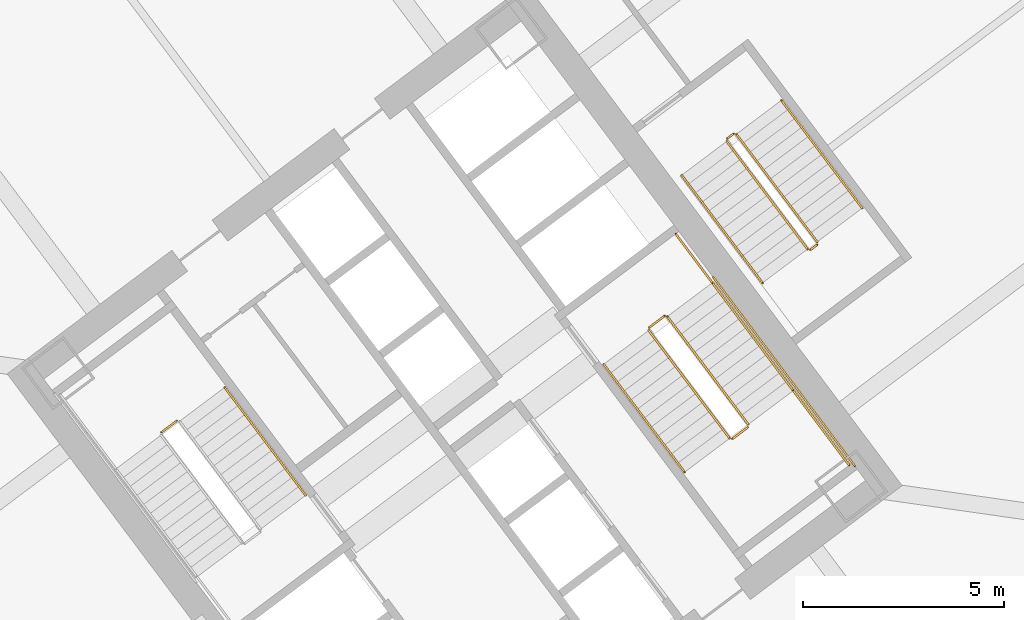
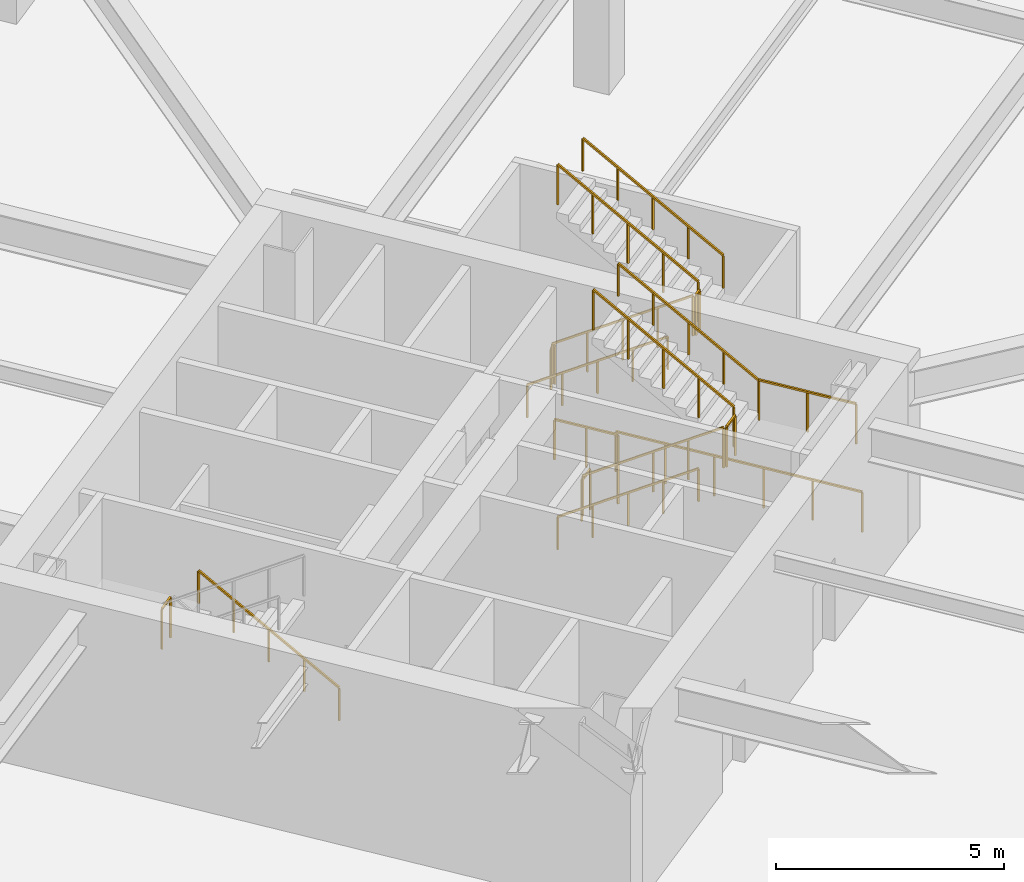
# One storey, part 43 of 44: 17 railings.
"""IFC4 building model written with IfcOpenShell, lengths in metres."""

from ifc_helpers import new_model, si_unit, direction, frame, origin, origin_2d, place, context, subcontext, project, spatial, rectangle, extrude, material, type_object, element, save


model = new_model("IFC4")

# Units and contexts
model_context = context("Model", 3, precision=1e-05, world=origin(), true_north=direction((0.0, 1.0)))
body_context = subcontext(model_context, "Body", "Model", "MODEL_VIEW")
ifc_project = project(units=[si_unit("LENGTHUNIT", "METRE"), si_unit("AREAUNIT", "SQUARE_METRE"), si_unit("VOLUMEUNIT", "CUBIC_METRE"), si_unit("PLANEANGLEUNIT", "RADIAN"), si_unit("MASSUNIT", "GRAM", prefix="KILO")], contexts=[model_context])

# Site, building, storey
site_placement = place(None, origin())
site = spatial("IfcSite", under=ifc_project, at=site_placement, CompositionType="ELEMENT")
building_placement = place(site_placement, origin())
building = spatial("IfcBuilding", under=site, at=building_placement, Name="Tashvorn Skyway Center", CompositionType="ELEMENT")
storey_placement = place(building_placement, frame((0.0, 0.0, 5.39990234375)))
storey = spatial("IfcBuildingStorey", under=building, at=storey_placement, Name="L01", CompositionType="ELEMENT", Elevation=5.39990234375)

# Railings
ifc_material_1 = material(Name="Brushed stainless steel 316", Category="steel")
railing_type_1 = type_object("IfcRailingType", Name="RAIL-HAND-920", PredefinedType="HANDRAIL", material=ifc_material_1)
railing_1_placement = place(storey_placement, frame((110.2880859375, 30.365966796875, 0.184814453125)))
element("IfcRailing", 1, at=railing_1_placement, inside=storey, type_object=railing_type_1, Name="L01 ST-T2-1 stair handrail 1", PredefinedType="HANDRAIL", context=body_context, shape_type="SweptSolid", body=[
    extrude(rectangle(XDim=0.048095703125, YDim=0.048095703125, at=origin_2d()), frame((0.0, 0.0, 0.8759765625), z_axis=(-0.500943092104, 0.667883681771, 0.55044291811), x_axis=(-0.79998256135, -0.600023250829, 0.0)), (0.0, 0.0, 1.0), 4.024658203125),
    extrude(rectangle(XDim=0.0419921875, YDim=0.0419921875, at=origin_2d()), origin(), (0.0, 0.0, 1.0), 0.851806640625),
    extrude(rectangle(XDim=0.0419921875, YDim=0.0419921875, at=origin_2d()), frame((-0.50390625, 0.671875, 0.5537109375)), (0.0, 0.0, 1.0), 0.851806640625),
    extrude(rectangle(XDim=0.0419921875, YDim=0.0419921875, at=origin_2d()), frame((-1.008056640625, 1.343994140625, 1.107666015625)), (0.0, 0.0, 1.0), 0.851806640625),
    extrude(rectangle(XDim=0.0419921875, YDim=0.0419921875, at=origin_2d()), frame((-1.51220703125, 2.01611328125, 1.66162109375)), (0.0, 0.0, 1.0), 0.851806640625),
    extrude(rectangle(XDim=0.0419921875, YDim=0.0419921875, at=origin_2d()), frame((-2.01611328125, 2.68798828125, 2.21533203125)), (0.0, 0.0, 1.0), 0.851806640625),
])
railing_2_placement = place(storey_placement, frame((117.7119140625, 33.634033203125, 0.184814453125)))
element("IfcRailing", 2, at=railing_2_placement, inside=storey, type_object=railing_type_1, Name="L01 ST-T2-2 stair handrail 1", PredefinedType="HANDRAIL", context=body_context, shape_type="SweptSolid", body=[
    extrude(rectangle(XDim=0.048095703125, YDim=0.048095703125, at=origin_2d()), frame((0.0, 0.0, 0.8759765625), z_axis=(0.500943092104, -0.667883681771, 0.55044291811), x_axis=(0.79998256135, 0.600023250829, 0.0)), (0.0, 0.0, 1.0), 4.024658203125),
    extrude(rectangle(XDim=0.0419921875, YDim=0.0419921875, at=origin_2d()), origin(), (0.0, 0.0, 1.0), 0.851806640625),
    extrude(rectangle(XDim=0.0419921875, YDim=0.0419921875, at=origin_2d()), frame((0.50390625, -0.671875, 0.5537109375)), (0.0, 0.0, 1.0), 0.851806640625),
    extrude(rectangle(XDim=0.0419921875, YDim=0.0419921875, at=origin_2d()), frame((1.008056640625, -1.343994140625, 1.107666015625)), (0.0, 0.0, 1.0), 0.851806640625),
    extrude(rectangle(XDim=0.0419921875, YDim=0.0419921875, at=origin_2d()), frame((1.51220703125, -2.01611328125, 1.66162109375)), (0.0, 0.0, 1.0), 0.851806640625),
    extrude(rectangle(XDim=0.0419921875, YDim=0.0419921875, at=origin_2d()), frame((2.01611328125, -2.68798828125, 2.21533203125)), (0.0, 0.0, 1.0), 0.851806640625),
])
railing_3_placement = place(storey_placement, frame((122.431884765625, 32.97412109375, 2.584716796875)))
element("IfcRailing", 3, at=railing_3_placement, inside=storey, type_object=railing_type_1, Name="L01 ST-T2-2 stair handrail 2", PredefinedType="HANDRAIL", context=body_context, shape_type="SweptSolid", body=[
    extrude(rectangle(XDim=0.048095703125, YDim=0.048095703125, at=origin_2d()), frame((0.0, 0.0, 0.8759765625), z_axis=(-0.500897651133, 0.667903977107, 0.550459644711), x_axis=(-0.800017438734, -0.59997674765, 0.0)), (0.0, 0.0, 1.0), 4.0244140625),
    extrude(rectangle(XDim=0.0419921875, YDim=0.0419921875, at=origin_2d()), origin(), (0.0, 0.0, 1.0), 0.851806640625),
    extrude(rectangle(XDim=0.0419921875, YDim=0.0419921875, at=origin_2d()), frame((-0.50390625, 0.671875, 0.5537109375)), (0.0, 0.0, 1.0), 0.851806640625),
    extrude(rectangle(XDim=0.0419921875, YDim=0.0419921875, at=origin_2d()), frame((-1.0078125, 1.343994140625, 1.107666015625)), (0.0, 0.0, 1.0), 0.851806640625),
    extrude(rectangle(XDim=0.0419921875, YDim=0.0419921875, at=origin_2d()), frame((-1.511962890625, 2.01611328125, 1.66162109375)), (0.0, 0.0, 1.0), 0.851806640625),
    extrude(rectangle(XDim=0.0419921875, YDim=0.0419921875, at=origin_2d()), frame((-2.015869140625, 2.68798828125, 2.21533203125)), (0.0, 0.0, 1.0), 0.851806640625),
])
railing_4_placement = place(storey_placement, frame((119.656005859375, 38.342041015625, 0.184814453125)))
element("IfcRailing", 4, at=railing_4_placement, inside=storey, type_object=railing_type_1, Name="L01 ST-T2-3 stair handrail 1", PredefinedType="HANDRAIL", context=body_context, shape_type="SweptSolid", body=[
    extrude(rectangle(XDim=0.048095703125, YDim=0.048095703125, at=origin_2d()), frame((0.0, 0.0, 0.8759765625), z_axis=(0.500943092104, -0.667883681771, 0.55044291811), x_axis=(0.79998256135, 0.600023250829, 0.0)), (0.0, 0.0, 1.0), 4.024658203125),
    extrude(rectangle(XDim=0.0419921875, YDim=0.0419921875, at=origin_2d()), origin(), (0.0, 0.0, 1.0), 0.851806640625),
    extrude(rectangle(XDim=0.0419921875, YDim=0.0419921875, at=origin_2d()), frame((0.50390625, -0.671875, 0.5537109375)), (0.0, 0.0, 1.0), 0.851806640625),
    extrude(rectangle(XDim=0.0419921875, YDim=0.0419921875, at=origin_2d()), frame((1.008056640625, -1.343994140625, 1.107666015625)), (0.0, 0.0, 1.0), 0.851806640625),
    extrude(rectangle(XDim=0.0419921875, YDim=0.0419921875, at=origin_2d()), frame((1.51220703125, -2.01611328125, 1.66162109375)), (0.0, 0.0, 1.0), 0.851806640625),
    extrude(rectangle(XDim=0.0419921875, YDim=0.0419921875, at=origin_2d()), frame((2.01611328125, -2.68798828125, 2.21533203125)), (0.0, 0.0, 1.0), 0.851806640625),
])
railing_5_placement = place(storey_placement, frame((124.152099609375, 37.513916015625, 2.584716796875)))
element("IfcRailing", 5, at=railing_5_placement, inside=storey, type_object=railing_type_1, Name="L01 ST-T2-3 stair handrail 2", PredefinedType="HANDRAIL", context=body_context, shape_type="SweptSolid", body=[
    extrude(rectangle(XDim=0.048095703125, YDim=0.048095703125, at=origin_2d()), frame((0.0, 0.0, 0.8759765625), z_axis=(-0.500943092104, 0.667883681771, 0.55044291811), x_axis=(-0.79998256135, -0.600023250829, 0.0)), (0.0, 0.0, 1.0), 4.024658203125),
    extrude(rectangle(XDim=0.0419921875, YDim=0.0419921875, at=origin_2d()), origin(), (0.0, 0.0, 1.0), 0.851806640625),
    extrude(rectangle(XDim=0.0419921875, YDim=0.0419921875, at=origin_2d()), frame((-0.50390625, 0.671875, 0.5537109375)), (0.0, 0.0, 1.0), 0.851806640625),
    extrude(rectangle(XDim=0.0419921875, YDim=0.0419921875, at=origin_2d()), frame((-1.008056640625, 1.343994140625, 1.107666015625)), (0.0, 0.0, 1.0), 0.851806640625),
    extrude(rectangle(XDim=0.0419921875, YDim=0.0419921875, at=origin_2d()), frame((-1.51220703125, 2.01611328125, 1.66162109375)), (0.0, 0.0, 1.0), 0.851806640625),
    extrude(rectangle(XDim=0.0419921875, YDim=0.0419921875, at=origin_2d()), frame((-2.01611328125, 2.68798828125, 2.21533203125)), (0.0, 0.0, 1.0), 0.851806640625),
])
ifc_material_2 = material(Name="Painted galvanized steel S355", Category="steel")
railing_type_2 = type_object("IfcRailingType", Name="RAIL-STGUARD-1100", PredefinedType="GUARDRAIL", material=ifc_material_2)
railing_6_placement = place(storey_placement, frame((107.08203125, 32.22412109375, 2.400146484375)))
element("IfcRailing", 6, at=railing_6_placement, inside=storey, type_object=railing_type_2, Name="L01 ST-T2-1 stair guard 2", PredefinedType="GUARDRAIL", context=body_context, shape_type="SweptSolid", body=[
    extrude(rectangle(XDim=0.048095703125, YDim=0.048095703125, at=origin_2d()), frame((0.0, 0.0, 1.076171875), z_axis=(-0.799938970639, -0.600081363861, 0.0), x_axis=(0.600081363861, -0.799938970639, 0.0)), (0.0, 0.0, 1.0), 0.47998046875),
    extrude(rectangle(XDim=0.0419921875, YDim=0.0419921875, at=origin_2d()), origin(), (0.0, 0.0, 1.0), 1.052001953125),
    extrude(rectangle(XDim=0.0419921875, YDim=0.0419921875, at=origin_2d()), frame((-0.384033203125, -0.2880859375, 0.0)), (0.0, 0.0, 1.0), 1.052001953125),
])
railing_7_placement = place(storey_placement, frame((118.83203125, 34.47412109375, 0.184814453125)))
element("IfcRailing", 7, at=railing_7_placement, inside=storey, type_object=railing_type_2, Name="L01 ST-T2-2 stair guard 1", PredefinedType="GUARDRAIL", context=body_context, shape_type="SweptSolid", body=[
    extrude(rectangle(XDim=0.048095703125, YDim=0.048095703125, at=origin_2d()), frame((0.0, 0.0, 1.076171875), z_axis=(0.500877356413, -0.667937576778, 0.550437341902), x_axis=(0.800043593035, 0.599941871554, 0.0)), (0.0, 0.0, 1.0), 4.024658203125),
    extrude(rectangle(XDim=0.0419921875, YDim=0.0419921875, at=origin_2d()), origin(), (0.0, 0.0, 1.0), 1.052001953125),
    extrude(rectangle(XDim=0.0419921875, YDim=0.0419921875, at=origin_2d()), frame((0.50390625, -0.672119140625, 0.5537109375)), (0.0, 0.0, 1.0), 1.052001953125),
    extrude(rectangle(XDim=0.0419921875, YDim=0.0419921875, at=origin_2d()), frame((1.0078125, -1.34423828125, 1.107666015625)), (0.0, 0.0, 1.0), 1.052001953125),
    extrude(rectangle(XDim=0.0419921875, YDim=0.0419921875, at=origin_2d()), frame((1.511962890625, -2.01611328125, 1.66162109375)), (0.0, 0.0, 1.0), 1.052001953125),
    extrude(rectangle(XDim=0.0419921875, YDim=0.0419921875, at=origin_2d()), frame((2.015869140625, -2.688232421875, 2.21533203125)), (0.0, 0.0, 1.0), 1.052001953125),
])
railing_8_placement = place(storey_placement, frame((120.91796875, 31.77587890625, 2.400146484375)))
element("IfcRailing", 8, at=railing_8_placement, inside=storey, type_object=railing_type_2, Name="L01 ST-T2-2 stair guard 2", PredefinedType="GUARDRAIL", context=body_context, shape_type="SweptSolid", body=[
    extrude(rectangle(XDim=0.048095703125, YDim=0.048095703125, at=origin_2d()), frame((0.0, 0.0, 1.076171875), z_axis=(0.799938970639, 0.600081363861, 0.0), x_axis=(-0.600081363861, 0.799938970639, 0.0)), (0.0, 0.0, 1.0), 0.47998046875),
    extrude(rectangle(XDim=0.0419921875, YDim=0.0419921875, at=origin_2d()), origin(), (0.0, 0.0, 1.0), 1.052001953125),
    extrude(rectangle(XDim=0.0419921875, YDim=0.0419921875, at=origin_2d()), frame((0.384033203125, 0.2880859375, 0.0)), (0.0, 0.0, 1.0), 1.052001953125),
])
railing_9_placement = place(storey_placement, frame((122.431884765625, 32.97412109375, 2.400146484375)))
element("IfcRailing", 9, at=railing_9_placement, inside=storey, type_object=railing_type_2, Name="L01 ST-T2-2 stair guard 3", PredefinedType="GUARDRAIL", context=body_context, shape_type="SweptSolid", body=[
    extrude(rectangle(XDim=0.048095703125, YDim=0.048095703125, at=origin_2d()), frame((0.0, 0.0, 1.076171875), z_axis=(0.599983164142, -0.800012626617, 0.0), x_axis=(0.800012626617, 0.599983164142, 0.0)), (0.0, 0.0, 1.0), 2.3203125),
    extrude(rectangle(XDim=0.0419921875, YDim=0.0419921875, at=origin_2d()), origin(), (0.0, 0.0, 1.0), 1.052001953125),
    extrude(rectangle(XDim=0.0419921875, YDim=0.0419921875, at=origin_2d()), frame((0.696044921875, -0.92822265625, 0.0)), (0.0, 0.0, 1.0), 1.052001953125),
    extrude(rectangle(XDim=0.0419921875, YDim=0.0419921875, at=origin_2d()), frame((1.39208984375, -1.856201171875, 0.0)), (0.0, 0.0, 1.0), 1.052001953125),
])
railing_10_placement = place(storey_placement, frame((121.31201171875, 32.134033203125, 2.584716796875)))
element("IfcRailing", 10, at=railing_10_placement, inside=storey, type_object=railing_type_2, Name="L01 ST-T2-2 stair guard 4", PredefinedType="GUARDRAIL", context=body_context, shape_type="SweptSolid", body=[
    extrude(rectangle(XDim=0.048095703125, YDim=0.048095703125, at=origin_2d()), frame((0.0, 0.0, 1.076171875), z_axis=(-0.500943092104, 0.667883681771, 0.55044291811), x_axis=(-0.79998256135, -0.600023250829, 0.0)), (0.0, 0.0, 1.0), 4.024658203125),
    extrude(rectangle(XDim=0.0419921875, YDim=0.0419921875, at=origin_2d()), origin(), (0.0, 0.0, 1.0), 1.052001953125),
    extrude(rectangle(XDim=0.0419921875, YDim=0.0419921875, at=origin_2d()), frame((-0.50390625, 0.671875, 0.5537109375)), (0.0, 0.0, 1.0), 1.052001953125),
    extrude(rectangle(XDim=0.0419921875, YDim=0.0419921875, at=origin_2d()), frame((-1.008056640625, 1.343994140625, 1.107666015625)), (0.0, 0.0, 1.0), 1.052001953125),
    extrude(rectangle(XDim=0.0419921875, YDim=0.0419921875, at=origin_2d()), frame((-1.51220703125, 2.01611328125, 1.66162109375)), (0.0, 0.0, 1.0), 1.052001953125),
    extrude(rectangle(XDim=0.0419921875, YDim=0.0419921875, at=origin_2d()), frame((-2.01611328125, 2.68798828125, 2.21533203125)), (0.0, 0.0, 1.0), 1.052001953125),
])
railing_11_placement = place(storey_placement, frame((118.842041015625, 34.5439453125, 0.0)))
element("IfcRailing", 11, at=railing_11_placement, inside=storey, type_object=railing_type_2, Name="L01 ST-T2-2 stair guard 5", PredefinedType="GUARDRAIL", context=body_context, shape_type="SweptSolid", body=[
    extrude(rectangle(XDim=0.048095703125, YDim=0.048095703125, at=origin_2d()), frame((0.0, 0.0, 1.076171875), z_axis=(0.799938970639, 0.600081363861, 0.0), x_axis=(-0.600081363861, 0.799938970639, 0.0)), (0.0, 0.0, 1.0), 0.47998046875),
    extrude(rectangle(XDim=0.0419921875, YDim=0.0419921875, at=origin_2d()), origin(), (0.0, 0.0, 1.0), 1.052001953125),
    extrude(rectangle(XDim=0.0419921875, YDim=0.0419921875, at=origin_2d()), frame((0.384033203125, 0.2880859375, 0.0)), (0.0, 0.0, 1.0), 1.052001953125),
])
railing_12_placement = place(storey_placement, frame((119.50390625, 36.8779296875, 0.0)))
element("IfcRailing", 12, at=railing_12_placement, inside=storey, type_object=railing_type_2, Name="L01 ST-T2-2 stair guard 6", PredefinedType="GUARDRAIL", context=body_context, shape_type="SweptSolid", body=[
    extrude(rectangle(XDim=0.048095703125, YDim=0.048095703125, at=origin_2d()), frame((0.0, 0.0, 1.076171875), z_axis=(0.600102796382, -0.799922892393, 0.0), x_axis=(0.799922892393, 0.600102796382, 0.0)), (0.0, 0.0, 1.0), 1.52001953125),
    extrude(rectangle(XDim=0.0419921875, YDim=0.0419921875, at=origin_2d()), origin(), (0.0, 0.0, 1.0), 1.052001953125),
    extrude(rectangle(XDim=0.0419921875, YDim=0.0419921875, at=origin_2d()), frame((0.4560546875, -0.60791015625, 0.0)), (0.0, 0.0, 1.0), 1.052001953125),
    extrude(rectangle(XDim=0.0419921875, YDim=0.0419921875, at=origin_2d()), frame((0.912109375, -1.2158203125, 0.0)), (0.0, 0.0, 1.0), 1.052001953125),
])
railing_13_placement = place(storey_placement, frame((120.43603515625, 35.802001953125, 0.0)))
element("IfcRailing", 13, at=railing_13_placement, inside=storey, type_object=railing_type_2, Name="L01 ST-T2-2 stair guard 7", PredefinedType="GUARDRAIL", context=body_context, shape_type="SweptSolid", body=[
    extrude(rectangle(XDim=0.048095703125, YDim=0.048095703125, at=origin_2d()), frame((0.0, 0.0, 1.076171875), z_axis=(0.6, -0.8, 0.0), x_axis=(0.8, 0.6, 0.0)), (0.0, 0.0, 1.0), 5.880126953125),
    extrude(rectangle(XDim=0.0419921875, YDim=0.0419921875, at=origin_2d()), origin(), (0.0, 0.0, 1.0), 1.052001953125),
    extrude(rectangle(XDim=0.0419921875, YDim=0.0419921875, at=origin_2d()), frame((0.70556640625, -0.94091796875, 0.0)), (0.0, 0.0, 1.0), 1.052001953125),
    extrude(rectangle(XDim=0.0419921875, YDim=0.0419921875, at=origin_2d()), frame((1.4111328125, -1.881591796875, 0.0)), (0.0, 0.0, 1.0), 1.052001953125),
    extrude(rectangle(XDim=0.0419921875, YDim=0.0419921875, at=origin_2d()), frame((2.116943359375, -2.822509765625, 0.0)), (0.0, 0.0, 1.0), 1.052001953125),
    extrude(rectangle(XDim=0.0419921875, YDim=0.0419921875, at=origin_2d()), frame((2.822509765625, -3.76318359375, 0.0)), (0.0, 0.0, 1.0), 1.052001953125),
    extrude(rectangle(XDim=0.0419921875, YDim=0.0419921875, at=origin_2d()), frame((3.528076171875, -4.7041015625, 0.0)), (0.0, 0.0, 1.0), 1.052001953125),
])
railing_14_placement = place(storey_placement, frame((120.77587890625, 39.181884765625, 0.184814453125)))
element("IfcRailing", 14, at=railing_14_placement, inside=storey, type_object=railing_type_2, Name="L01 ST-T2-3 stair guard 1", PredefinedType="GUARDRAIL", context=body_context, shape_type="SweptSolid", body=[
    extrude(rectangle(XDim=0.048095703125, YDim=0.048095703125, at=origin_2d()), frame((0.0, 0.0, 1.076171875), z_axis=(0.500943092104, -0.667883681771, 0.55044291811), x_axis=(0.79998256135, 0.600023250829, 0.0)), (0.0, 0.0, 1.0), 4.024658203125),
    extrude(rectangle(XDim=0.0419921875, YDim=0.0419921875, at=origin_2d()), origin(), (0.0, 0.0, 1.0), 1.052001953125),
    extrude(rectangle(XDim=0.0419921875, YDim=0.0419921875, at=origin_2d()), frame((0.50390625, -0.671875, 0.5537109375)), (0.0, 0.0, 1.0), 1.052001953125),
    extrude(rectangle(XDim=0.0419921875, YDim=0.0419921875, at=origin_2d()), frame((1.008056640625, -1.343994140625, 1.107666015625)), (0.0, 0.0, 1.0), 1.052001953125),
    extrude(rectangle(XDim=0.0419921875, YDim=0.0419921875, at=origin_2d()), frame((1.51220703125, -2.01611328125, 1.66162109375)), (0.0, 0.0, 1.0), 1.052001953125),
    extrude(rectangle(XDim=0.0419921875, YDim=0.0419921875, at=origin_2d()), frame((2.01611328125, -2.68798828125, 2.21533203125)), (0.0, 0.0, 1.0), 1.052001953125),
])
railing_15_placement = place(storey_placement, frame((122.862060546875, 36.48388671875, 2.400146484375)))
element("IfcRailing", 15, at=railing_15_placement, inside=storey, type_object=railing_type_2, Name="L01 ST-T2-3 stair guard 2", PredefinedType="GUARDRAIL", context=body_context, shape_type="SweptSolid", body=[
    extrude(rectangle(XDim=0.048095703125, YDim=0.048095703125, at=origin_2d()), frame((0.0, 0.0, 1.076171875), z_axis=(0.799560332416, 0.60058577641, 0.0), x_axis=(-0.60058577641, 0.799560332416, 0.0)), (0.0, 0.0, 1.0), 0.199951171875),
    extrude(rectangle(XDim=0.0419921875, YDim=0.0419921875, at=origin_2d()), origin(), (0.0, 0.0, 1.0), 1.052001953125),
    extrude(rectangle(XDim=0.0419921875, YDim=0.0419921875, at=origin_2d()), frame((0.159912109375, 0.1201171875, 0.0)), (0.0, 0.0, 1.0), 1.052001953125),
])
railing_16_placement = place(storey_placement, frame((123.031982421875, 36.674072265625, 2.584716796875)))
element("IfcRailing", 16, at=railing_16_placement, inside=storey, type_object=railing_type_2, Name="L01 ST-T2-3 stair guard 3", PredefinedType="GUARDRAIL", context=body_context, shape_type="SweptSolid", body=[
    extrude(rectangle(XDim=0.048095703125, YDim=0.048095703125, at=origin_2d()), frame((0.0, 0.0, 1.076171875), z_axis=(-0.500897651133, 0.667903977107, 0.550459644711), x_axis=(-0.800017438734, -0.59997674765, 0.0)), (0.0, 0.0, 1.0), 4.0244140625),
    extrude(rectangle(XDim=0.0419921875, YDim=0.0419921875, at=origin_2d()), origin(), (0.0, 0.0, 1.0), 1.052001953125),
    extrude(rectangle(XDim=0.0419921875, YDim=0.0419921875, at=origin_2d()), frame((-0.50390625, 0.671875, 0.5537109375)), (0.0, 0.0, 1.0), 1.052001953125),
    extrude(rectangle(XDim=0.0419921875, YDim=0.0419921875, at=origin_2d()), frame((-1.0078125, 1.343994140625, 1.107666015625)), (0.0, 0.0, 1.0), 1.052001953125),
    extrude(rectangle(XDim=0.0419921875, YDim=0.0419921875, at=origin_2d()), frame((-1.511962890625, 2.01611328125, 1.66162109375)), (0.0, 0.0, 1.0), 1.052001953125),
    extrude(rectangle(XDim=0.0419921875, YDim=0.0419921875, at=origin_2d()), frame((-2.015869140625, 2.68798828125, 2.21533203125)), (0.0, 0.0, 1.0), 1.052001953125),
])
railing_17_placement = place(storey_placement, frame((120.785888671875, 39.251953125, 0.0)))
element("IfcRailing", 17, at=railing_17_placement, inside=storey, type_object=railing_type_2, Name="L01 ST-T2-3 stair guard 4", PredefinedType="GUARDRAIL", context=body_context, shape_type="SweptSolid", body=[
    extrude(rectangle(XDim=0.048095703125, YDim=0.048095703125, at=origin_2d()), frame((0.0, 0.0, 1.076171875), z_axis=(0.8, 0.6, 0.0), x_axis=(-0.6, 0.8, 0.0)), (0.0, 0.0, 1.0), 0.2001953125),
    extrude(rectangle(XDim=0.0419921875, YDim=0.0419921875, at=origin_2d()), origin(), (0.0, 0.0, 1.0), 1.052001953125),
    extrude(rectangle(XDim=0.0419921875, YDim=0.0419921875, at=origin_2d()), frame((0.16015625, 0.1201171875, 0.0)), (0.0, 0.0, 1.0), 1.052001953125),
])

save(model, "model.ifc")
